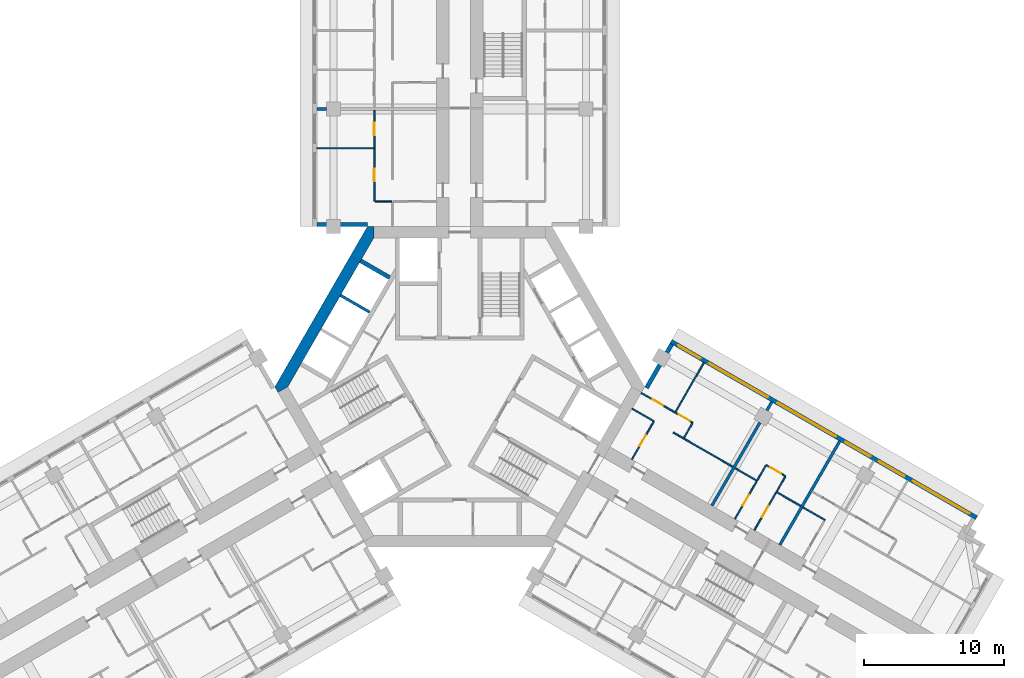
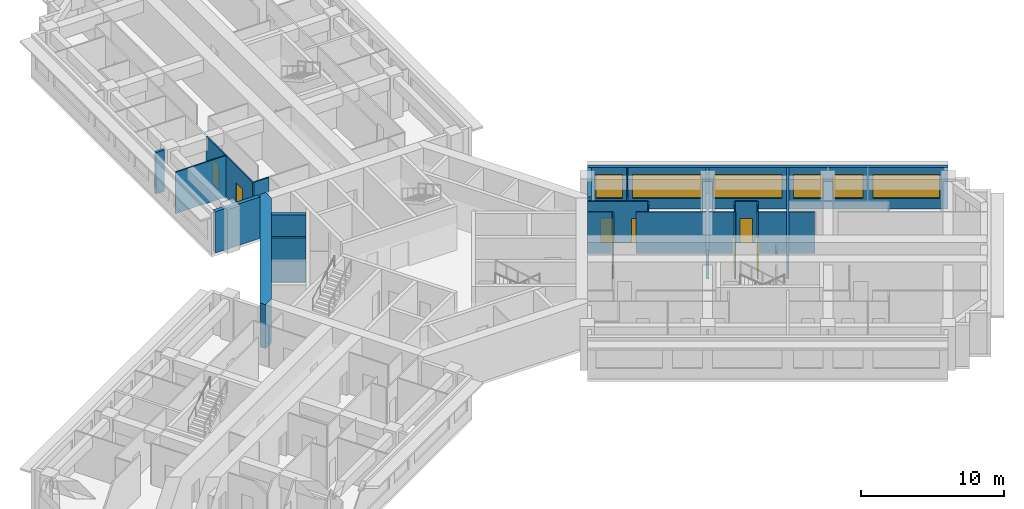
# One storey, part 7 of 12: 27 walls, 8 doors, 6 windows, 14 openings.
"""IFC4 building model written with IfcOpenShell, lengths in metres."""

from ifc_helpers import new_model, si_unit, direction, frame, frame_2d, origin, place, context, subcontext, project, spatial, polyline, rectangle, outline, extrude, material, layer, layer_set, type_object, element, fill, save


model = new_model("IFC4")

# Units and contexts
model_context = context("Model", 3, precision=1e-05, world=origin(), true_north=direction((0.0, 1.0)))
body_context = subcontext(model_context, "Body", "Model", "MODEL_VIEW")
ifc_project = project(units=[si_unit("LENGTHUNIT", "METRE"), si_unit("AREAUNIT", "SQUARE_METRE"), si_unit("VOLUMEUNIT", "CUBIC_METRE"), si_unit("PLANEANGLEUNIT", "RADIAN"), si_unit("MASSUNIT", "GRAM", prefix="KILO")], contexts=[model_context])

# Site, building, storey
site_placement = place(None, origin())
site = spatial("IfcSite", under=ifc_project, at=site_placement, CompositionType="ELEMENT")
building_placement = place(site_placement, origin())
building = spatial("IfcBuilding", under=site, at=building_placement, Name="Impinga Residences", CompositionType="ELEMENT")
storey_placement = place(building_placement, frame((0.0, 0.0, 173.5)))
storey = spatial("IfcBuildingStorey", under=building, at=storey_placement, Name="L43", CompositionType="ELEMENT", Elevation=173.5)

# Walls
ifc_material_1 = material(Name="Terracotta rainscreen on blockwork", Category="masonry")
ifc_layer_1 = layer(ifc_material_1, 0.300048828125)
ifc_layer_set_1 = layer_set([ifc_layer_1], Name="EW1 external wall, terracotta rainscreen on blockwork 300")
wall_type_1 = type_object("IfcWallType", Name="EW1 external wall, terracotta rainscreen on blockwork 300", PredefinedType="SOLIDWALL", material=ifc_layer_set_1)
wall_1_placement = place(storey_placement, frame((-6.60009765625, 11.58154296875, 0.0), z_axis=(0.0, 0.0, 1.0), x_axis=(-1.0, 0.0, 0.0)))
element("IfcWall", 1, at=wall_1_placement, inside=storey, type_object=wall_type_1, Name="External wall EW1 L43", PredefinedType="SOLIDWALL", context=body_context, shape_type="SweptSolid", body=[
    extrude(rectangle(XDim=3.599853515625, YDim=0.300048828125, at=frame_2d((1.7998046875, 0.0))), origin(), (0.0, 0.0, 1.0), 3.530029296875),
])
wall_2_placement = place(storey_placement, frame((13.329833984375, -0.074951171875, 0.0), z_axis=(0.0, 0.0, 1.0), x_axis=(0.500012057535, 0.866018442252, 0.0)))
element("IfcWall", 2, at=wall_2_placement, inside=storey, type_object=wall_type_1, Name="External wall EW1 L43", PredefinedType="SOLIDWALL", context=body_context, shape_type="SweptSolid", body=[
    extrude(rectangle(XDim=3.60009765625, YDim=0.300048828125, at=frame_2d((1.800048828125, 0.0))), origin(), (0.0, 0.0, 1.0), 3.530029296875),
])

# Wall, openings, windows
wall_3_placement = place(storey_placement, frame((15.074951171875, 3.24755859375, 0.0), z_axis=(0.0, 0.0, 1.0), x_axis=(0.86602925447, -0.499993330357, 0.0)))
wall_3 = element("IfcWall", 3, at=wall_3_placement, inside=storey, type_object=wall_type_1, Name="External wall EW1 L43", PredefinedType="SOLIDWALL", context=body_context, shape_type="SweptSolid", body=[
    extrude(rectangle(XDim=25.199951171875, YDim=0.300048828125, at=frame_2d((12.60009765625, 0.0))), origin(), (0.0, 0.0, 1.0), 3.530029296875),
])
opening_1_placement = place(wall_3_placement, frame((0.60009765625, 0.0, 0.89990234375)))
opening_1 = element("IfcOpeningElement", 4, at=opening_1_placement, cuts=wall_3, Name="Opening W15", PredefinedType="OPENING", context=body_context, shape_type="SweptSolid", body=[
    extrude(rectangle(XDim=1.85009765625, YDim=2.050048828125, at=frame_2d((0.925048828125, 1.02490234375))), frame((0.0, 0.159912109375, 0.0), z_axis=(0.0, -1.0, 0.0), x_axis=(1.0, 0.0, 0.0)), (0.0, 0.0, 1.0), 0.320068359375),
])
opening_2_placement = place(wall_3_placement, frame((3.14990234375, 0.0, 0.89990234375)))
opening_2 = element("IfcOpeningElement", 5, at=opening_2_placement, cuts=wall_3, Name="Opening W6", PredefinedType="OPENING", context=body_context, shape_type="SweptSolid", body=[
    extrude(rectangle(XDim=4.85009765625, YDim=2.050048828125, at=frame_2d((2.425048828125, 1.02490234375))), frame((0.0, 0.159912109375, 0.0), z_axis=(0.0, -1.0, 0.0), x_axis=(1.0, 0.0, 0.0)), (0.0, 0.0, 1.0), 0.320068359375),
])
opening_3_placement = place(wall_3_placement, frame((8.800048828125, 0.0, 0.89990234375)))
opening_3 = element("IfcOpeningElement", 6, at=opening_3_placement, cuts=wall_3, Name="Opening W8", PredefinedType="OPENING", context=body_context, shape_type="SweptSolid", body=[
    extrude(rectangle(XDim=4.800048828125, YDim=2.050048828125, at=frame_2d((2.39990234375, 1.02490234375))), frame((0.0, 0.159912109375, 0.0), z_axis=(0.0, -1.0, 0.0), x_axis=(1.0, 0.0, 0.0)), (0.0, 0.0, 1.0), 0.320068359375),
])
opening_4_placement = place(wall_3_placement, frame((14.39990234375, 0.0, 0.89990234375)))
opening_4 = element("IfcOpeningElement", 7, at=opening_4_placement, cuts=wall_3, Name="Opening W14", PredefinedType="OPENING", context=body_context, shape_type="SweptSolid", body=[
    extrude(rectangle(XDim=2.050048828125, YDim=2.050048828125, at=frame_2d((1.02490234375, 1.02490234375))), frame((0.0, 0.159912109375, 0.0), z_axis=(0.0, -1.0, 0.0), x_axis=(1.0, 0.0, 0.0)), (0.0, 0.0, 1.0), 0.320068359375),
])
opening_5_placement = place(wall_3_placement, frame((17.14990234375, 0.0, 0.89990234375)))
opening_5 = element("IfcOpeningElement", 8, at=opening_5_placement, cuts=wall_3, Name="Opening W9", PredefinedType="OPENING", context=body_context, shape_type="SweptSolid", body=[
    extrude(rectangle(XDim=2.10009765625, YDim=2.050048828125, at=frame_2d((1.050048828125, 1.02490234375))), frame((0.0, 0.159912109375, 0.0), z_axis=(0.0, -1.0, 0.0), x_axis=(1.0, 0.0, 0.0)), (0.0, 0.0, 1.0), 0.320068359375),
])
opening_6_placement = place(wall_3_placement, frame((19.949951171875, 0.0, 0.89990234375)))
opening_6 = element("IfcOpeningElement", 9, at=opening_6_placement, cuts=wall_3, Name="Opening W10", PredefinedType="OPENING", context=body_context, shape_type="SweptSolid", body=[
    extrude(rectangle(XDim=4.64990234375, YDim=2.050048828125, at=frame_2d((2.324951171875, 1.02490234375))), frame((0.0, 0.159912109375, 0.0), z_axis=(0.0, -1.0, 0.0), x_axis=(1.0, 0.0, 0.0)), (0.0, 0.0, 1.0), 0.320068359375),
])
ifc_material_2 = material(Name="Aluminium window, clear double glazing", Category="aluminium")
window_type_1 = type_object("IfcWindowType", Name="W10 ribbon window 4650x2050", PartitioningType="SINGLE_PANEL", PredefinedType="WINDOW", material=ifc_material_2)
window_1_placement = place(opening_6_placement, origin())
window_1 = element("IfcWindow", 10, at=window_1_placement, inside=storey, type_object=window_type_1, Name="Window L43", OverallHeight=2.050048828125, OverallWidth=4.64990234375, PartitioningType="SINGLE_PANEL", PredefinedType="WINDOW", context=body_context, shape_type="SweptSolid", body=[
    extrude(rectangle(XDim=4.64990234375, YDim=2.050048828125, at=frame_2d((2.324951171875, 1.02490234375))), frame((0.0, 0.030029296875, 0.0), z_axis=(0.0, -1.0, 0.0), x_axis=(1.0, 0.0, 0.0)), (0.0, 0.0, 1.0), 0.06005859375),
])
fill(opening_6, window_1)
window_type_2 = type_object("IfcWindowType", Name="W14 ribbon window 2050x2050", PartitioningType="SINGLE_PANEL", PredefinedType="WINDOW", material=ifc_material_2)
window_2_placement = place(opening_4_placement, origin())
window_2 = element("IfcWindow", 11, at=window_2_placement, inside=storey, type_object=window_type_2, Name="Window L43", OverallHeight=2.050048828125, OverallWidth=2.050048828125, PartitioningType="SINGLE_PANEL", PredefinedType="WINDOW", context=body_context, shape_type="SweptSolid", body=[
    extrude(rectangle(XDim=2.050048828125, YDim=2.050048828125, at=frame_2d((1.02490234375, 1.02490234375))), frame((0.0, 0.030029296875, 0.0), z_axis=(0.0, -1.0, 0.0), x_axis=(1.0, 0.0, 0.0)), (0.0, 0.0, 1.0), 0.06005859375),
])
fill(opening_4, window_2)
window_type_3 = type_object("IfcWindowType", Name="W15 ribbon window 1850x2050", PartitioningType="SINGLE_PANEL", PredefinedType="WINDOW", material=ifc_material_2)
window_3_placement = place(opening_1_placement, origin())
window_3 = element("IfcWindow", 12, at=window_3_placement, inside=storey, type_object=window_type_3, Name="Window L43", OverallHeight=2.050048828125, OverallWidth=1.85009765625, PartitioningType="SINGLE_PANEL", PredefinedType="WINDOW", context=body_context, shape_type="SweptSolid", body=[
    extrude(rectangle(XDim=1.85009765625, YDim=2.050048828125, at=frame_2d((0.925048828125, 1.02490234375))), frame((0.0, 0.030029296875, 0.0), z_axis=(0.0, -1.0, 0.0), x_axis=(1.0, 0.0, 0.0)), (0.0, 0.0, 1.0), 0.06005859375),
])
fill(opening_1, window_3)
window_type_4 = type_object("IfcWindowType", Name="W6 ribbon window 4850x2050", PartitioningType="SINGLE_PANEL", PredefinedType="WINDOW", material=ifc_material_2)
window_4_placement = place(opening_2_placement, origin())
window_4 = element("IfcWindow", 13, at=window_4_placement, inside=storey, type_object=window_type_4, Name="Window L43", OverallHeight=2.050048828125, OverallWidth=4.85009765625, PartitioningType="SINGLE_PANEL", PredefinedType="WINDOW", context=body_context, shape_type="SweptSolid", body=[
    extrude(rectangle(XDim=4.85009765625, YDim=2.050048828125, at=frame_2d((2.425048828125, 1.02490234375))), frame((0.0, 0.030029296875, 0.0), z_axis=(0.0, -1.0, 0.0), x_axis=(1.0, 0.0, 0.0)), (0.0, 0.0, 1.0), 0.06005859375),
])
fill(opening_2, window_4)
window_type_5 = type_object("IfcWindowType", Name="W8 ribbon window 4800x2050", PartitioningType="SINGLE_PANEL", PredefinedType="WINDOW", material=ifc_material_2)
window_5_placement = place(opening_3_placement, origin())
window_5 = element("IfcWindow", 14, at=window_5_placement, inside=storey, type_object=window_type_5, Name="Window L43", OverallHeight=2.050048828125, OverallWidth=4.800048828125, PartitioningType="SINGLE_PANEL", PredefinedType="WINDOW", context=body_context, shape_type="SweptSolid", body=[
    extrude(rectangle(XDim=4.800048828125, YDim=2.050048828125, at=frame_2d((2.39990234375, 1.02490234375))), frame((0.0, 0.030029296875, 0.0), z_axis=(0.0, -1.0, 0.0), x_axis=(1.0, 0.0, 0.0)), (0.0, 0.0, 1.0), 0.06005859375),
])
fill(opening_3, window_5)
window_type_6 = type_object("IfcWindowType", Name="W9 ribbon window 2100x2050", PartitioningType="SINGLE_PANEL", PredefinedType="WINDOW", material=ifc_material_2)
window_6_placement = place(opening_5_placement, origin())
window_6 = element("IfcWindow", 15, at=window_6_placement, inside=storey, type_object=window_type_6, Name="Window L43", OverallHeight=2.050048828125, OverallWidth=2.10009765625, PartitioningType="SINGLE_PANEL", PredefinedType="WINDOW", context=body_context, shape_type="SweptSolid", body=[
    extrude(rectangle(XDim=2.10009765625, YDim=2.050048828125, at=frame_2d((1.050048828125, 1.02490234375))), frame((0.0, 0.030029296875, 0.0), z_axis=(0.0, -1.0, 0.0), x_axis=(1.0, 0.0, 0.0)), (0.0, 0.0, 1.0), 0.06005859375),
])
fill(opening_5, window_6)

# Wall, openings, doors
ifc_material_3 = material(Name="Gypsum board on steel studs", Category="steel")
ifc_layer_2 = layer(ifc_material_3, 0.10009765625)
ifc_layer_set_2 = layer_set([ifc_layer_2], Name="Gypsum board on steel studs")
wall_type_2 = type_object("IfcWallType", Name="IP1 partition 100", PredefinedType="PARTITIONING", material=ifc_layer_set_2)
wall_4_placement = place(storey_placement, frame((-6.10009765625, 13.2314453125, 0.0), z_axis=(0.0, 0.0, 1.0), x_axis=(0.0, 1.0, 0.0)))
wall_4 = element("IfcWall", 16, at=wall_4_placement, inside=storey, type_object=wall_type_2, Name="Partition L43-NA1:STRIP", PredefinedType="PARTITIONING", context=body_context, shape_type="SweptSolid", body=[
    extrude(rectangle(XDim=6.5, YDim=0.10009765625, at=frame_2d((3.25, 0.0))), origin(), (0.0, 0.0, 1.0), 3.530029296875),
])
opening_7_placement = place(wall_4_placement, frame((1.425048828125, 0.0, 0.0)))
opening_7 = element("IfcOpeningElement", 17, at=opening_7_placement, cuts=wall_4, Name="Opening D2", PredefinedType="OPENING", context=body_context, shape_type="SweptSolid", body=[
    extrude(rectangle(XDim=0.89990234375, YDim=2.10009765625, at=frame_2d((0.449951171875, 1.050048828125))), frame((0.0, 0.06005859375, 0.0), z_axis=(0.0, -1.0, 0.0), x_axis=(1.0, 0.0, 0.0)), (0.0, 0.0, 1.0), 0.1201171875),
])
opening_8_placement = place(wall_4_placement, frame((4.72509765625, 0.0, 0.0)))
opening_8 = element("IfcOpeningElement", 18, at=opening_8_placement, cuts=wall_4, Name="Opening D2", PredefinedType="OPENING", context=body_context, shape_type="SweptSolid", body=[
    extrude(rectangle(XDim=0.89990234375, YDim=2.10009765625, at=frame_2d((0.449951171875, 1.050048828125))), frame((0.0, 0.06005859375, 0.0), z_axis=(0.0, -1.0, 0.0), x_axis=(1.0, 0.0, 0.0)), (0.0, 0.0, 1.0), 0.1201171875),
])
ifc_material_4 = material(Name="Timber door set", Category="wood")
door_type = type_object("IfcDoorType", Name="D2 internal door 900x2100", OperationType="SINGLE_SWING_LEFT", PredefinedType="DOOR", material=ifc_material_4)
door_1_placement = place(opening_7_placement, origin())
door_1 = element("IfcDoor", 19, at=door_1_placement, inside=storey, type_object=door_type, Name="Apartment L43-NA1 room door", OperationType="SINGLE_SWING_LEFT", OverallHeight=2.10009765625, OverallWidth=0.89990234375, PredefinedType="DOOR", context=body_context, shape_type="SweptSolid", body=[
    extrude(rectangle(XDim=0.89990234375, YDim=2.10009765625, at=frame_2d((0.449951171875, 1.050048828125))), frame((0.0, 0.02490234375, 0.0), z_axis=(0.0, -1.0, 0.0), x_axis=(1.0, 0.0, 0.0)), (0.0, 0.0, 1.0), 0.050048828125),
])
fill(opening_7, door_1)
door_2_placement = place(opening_8_placement, origin())
door_2 = element("IfcDoor", 20, at=door_2_placement, inside=storey, type_object=door_type, Name="Apartment L43-NA1 room door", OperationType="SINGLE_SWING_RIGHT", OverallHeight=2.10009765625, OverallWidth=0.89990234375, PredefinedType="DOOR", context=body_context, shape_type="SweptSolid", body=[
    extrude(rectangle(XDim=0.89990234375, YDim=2.10009765625, at=frame_2d((0.449951171875, 1.050048828125))), frame((0.0, 0.02490234375, 0.0), z_axis=(0.0, -1.0, 0.0), x_axis=(1.0, 0.0, 0.0)), (0.0, 0.0, 1.0), 0.050048828125),
])
fill(opening_8, door_2)

# Walls
wall_5_placement = place(storey_placement, frame((-4.85009765625, 13.2314453125, 0.0), z_axis=(0.0, 0.0, 1.0), x_axis=(-1.0, 0.0, 0.0)))
element("IfcWall", 21, at=wall_5_placement, inside=storey, type_object=wall_type_2, Name="Partition L43-NA1:SE0", PredefinedType="PARTITIONING", context=body_context, shape_type="SweptSolid", body=[
    extrude(rectangle(XDim=1.199951171875, YDim=0.10009765625, at=frame_2d((0.60009765625, 0.0))), origin(), (0.0, 0.0, 1.0), 3.530029296875),
])
wall_6_placement = place(storey_placement, frame((-6.14990234375, 17.031494140625, 0.0), z_axis=(0.0, 0.0, 1.0), x_axis=(-1.0, 0.0, 0.0)))
element("IfcWall", 22, at=wall_6_placement, inside=storey, type_object=wall_type_2, Name="Partition L43-NA1:OB1", PredefinedType="PARTITIONING", context=body_context, shape_type="SweptSolid", body=[
    extrude(rectangle(XDim=4.050048828125, YDim=0.10009765625, at=frame_2d((2.02490234375, 0.0))), origin(), (0.0, 0.0, 1.0), 3.530029296875),
])
wall_7_placement = place(storey_placement, frame((12.300048828125, -1.558837890625, 0.0), z_axis=(0.0, 0.0, 1.0), x_axis=(0.866047807691, -0.499961193289, 0.0)))
element("IfcWall", 23, at=wall_7_placement, inside=storey, type_object=wall_type_2, Name="Partition L43-EA1:DIV0", PredefinedType="PARTITIONING", context=body_context, shape_type="SweptSolid", body=[
    extrude(rectangle(XDim=1.800048828125, YDim=0.10009765625, at=frame_2d((0.89990234375, 0.0))), origin(), (0.0, 0.0, 1.0), 3.530029296875),
])
wall_8_placement = place(storey_placement, frame((15.244384765625, -3.2587890625, 0.0), z_axis=(0.0, 0.0, 1.0), x_axis=(0.866036242063, -0.49998122708, 0.0)))
element("IfcWall", 24, at=wall_8_placement, inside=storey, type_object=wall_type_2, Name="Partition L43-EA1:DIV1", PredefinedType="PARTITIONING", context=body_context, shape_type="SweptSolid", body=[
    extrude(rectangle(XDim=4.900146484375, YDim=0.10009765625, at=frame_2d((2.4501953125, 0.0))), origin(), (0.0, 0.0, 1.0), 3.530029296875),
])

# Wall, openings, doors
wall_9_placement = place(storey_placement, frame((12.949951171875, -0.43310546875, 0.0), z_axis=(0.0, 0.0, 1.0), x_axis=(0.866028703517, -0.499994284652, 0.0)))
wall_9 = element("IfcWall", 25, at=wall_9_placement, inside=storey, type_object=wall_type_2, Name="Partition L43-EA1:STRIP", PredefinedType="PARTITIONING", context=body_context, shape_type="SweptSolid", body=[
    extrude(rectangle(XDim=4.25, YDim=0.10009765625, at=frame_2d((2.125, 0.0))), origin(), (0.0, 0.0, 1.0), 3.530029296875),
])
opening_9_placement = place(wall_9_placement, frame((0.925048828125, 0.0, 0.0)))
opening_9 = element("IfcOpeningElement", 26, at=opening_9_placement, cuts=wall_9, Name="Opening D2", PredefinedType="OPENING", context=body_context, shape_type="SweptSolid", body=[
    extrude(rectangle(XDim=0.89990234375, YDim=2.10009765625, at=frame_2d((0.449951171875, 1.050048828125))), frame((0.0, 0.06005859375, 0.0), z_axis=(0.0, -1.0, 0.0), x_axis=(1.0, 0.0, 0.0)), (0.0, 0.0, 1.0), 0.1201171875),
])
opening_10_placement = place(wall_9_placement, frame((3.10009765625, 0.0, 0.0)))
opening_10 = element("IfcOpeningElement", 27, at=opening_10_placement, cuts=wall_9, Name="Opening D2", PredefinedType="OPENING", context=body_context, shape_type="SweptSolid", body=[
    extrude(rectangle(XDim=0.89990234375, YDim=2.10009765625, at=frame_2d((0.449951171875, 1.050048828125))), frame((0.0, 0.06005859375, 0.0), z_axis=(0.0, -1.0, 0.0), x_axis=(1.0, 0.0, 0.0)), (0.0, 0.0, 1.0), 0.1201171875),
])
door_3_placement = place(opening_9_placement, origin())
door_3 = element("IfcDoor", 28, at=door_3_placement, inside=storey, type_object=door_type, Name="Apartment L43-EA1 room door", OperationType="SINGLE_SWING_LEFT", OverallHeight=2.10009765625, OverallWidth=0.89990234375, PredefinedType="DOOR", context=body_context, shape_type="SweptSolid", body=[
    extrude(rectangle(XDim=0.89990234375, YDim=2.10009765625, at=frame_2d((0.449951171875, 1.050048828125))), frame((0.0, 0.02490234375, 0.0), z_axis=(0.0, -1.0, 0.0), x_axis=(1.0, 0.0, 0.0)), (0.0, 0.0, 1.0), 0.050048828125),
])
fill(opening_9, door_3)
door_4_placement = place(opening_10_placement, origin())
door_4 = element("IfcDoor", 29, at=door_4_placement, inside=storey, type_object=door_type, Name="Apartment L43-EA1 room door", OperationType="SINGLE_SWING_RIGHT", OverallHeight=2.10009765625, OverallWidth=0.89990234375, PredefinedType="DOOR", context=body_context, shape_type="SweptSolid", body=[
    extrude(rectangle(XDim=0.89990234375, YDim=2.10009765625, at=frame_2d((0.449951171875, 1.050048828125))), frame((0.0, 0.02490234375, 0.0), z_axis=(0.0, -1.0, 0.0), x_axis=(1.0, 0.0, 0.0)), (0.0, 0.0, 1.0), 0.050048828125),
])
fill(opening_10, door_4)

# Wall
wall_10_placement = place(storey_placement, frame((16.005615234375, -3.640625, 0.0), z_axis=(0.0, 0.0, 1.0), x_axis=(0.500033551112, 0.866006032174, 0.0)))
element("IfcWall", 30, at=wall_10_placement, inside=storey, type_object=wall_type_2, Name="Partition L43-EA1:SE1", PredefinedType="PARTITIONING", context=body_context, shape_type="SweptSolid", body=[
    extrude(rectangle(XDim=1.2001953125, YDim=0.10009765625, at=frame_2d((0.60009765625, 0.0))), origin(), (0.0, 0.0, 1.0), 3.530029296875),
])

# Wall, opening, door
wall_11_placement = place(storey_placement, frame((12.283935546875, -5.186767578125, 0.0), z_axis=(0.0, 0.0, 1.0), x_axis=(0.499967891604, 0.866043940782, 0.0)))
wall_11 = element("IfcWall", 31, at=wall_11_placement, inside=storey, type_object=wall_type_2, Name="Partition L43-EA1:IB1", PredefinedType="PARTITIONING", context=body_context, shape_type="SweptSolid", body=[
    extrude(rectangle(XDim=3.099853515625, YDim=0.10009765625, at=frame_2d((1.5498046875, 0.0))), origin(), (0.0, 0.0, 1.0), 3.530029296875),
])
opening_11_placement = place(wall_11_placement, frame((1.10009765625, 0.0, 0.0)))
opening_11 = element("IfcOpeningElement", 32, at=opening_11_placement, cuts=wall_11, Name="Opening D2", PredefinedType="OPENING", context=body_context, shape_type="SweptSolid", body=[
    extrude(rectangle(XDim=0.89990234375, YDim=2.10009765625, at=frame_2d((0.449951171875, 1.050048828125))), frame((0.0, 0.06005859375, 0.0), z_axis=(0.0, -1.0, 0.0), x_axis=(1.0, 0.0, 0.0)), (0.0, 0.0, 1.0), 0.1201171875),
])
door_5_placement = place(opening_11_placement, origin())
door_5 = element("IfcDoor", 33, at=door_5_placement, inside=storey, type_object=door_type, Name="Apartment L43-EA1 bathroom door", OperationType="SINGLE_SWING_LEFT", OverallHeight=2.10009765625, OverallWidth=0.89990234375, PredefinedType="DOOR", context=body_context, shape_type="SweptSolid", body=[
    extrude(rectangle(XDim=0.89990234375, YDim=2.10009765625, at=frame_2d((0.449951171875, 1.050048828125))), frame((0.0, 0.02490234375, 0.0), z_axis=(0.0, -1.0, 0.0), x_axis=(1.0, 0.0, 0.0)), (0.0, 0.0, 1.0), 0.050048828125),
])
fill(opening_11, door_5)

# Walls
wall_12_placement = place(storey_placement, frame((15.39990234375, -1.789794921875, 0.0), z_axis=(0.0, 0.0, 1.0), x_axis=(0.499964223975, 0.866046058097, 0.0)))
element("IfcWall", 34, at=wall_12_placement, inside=storey, type_object=wall_type_2, Name="Partition L43-EA1:OB1", PredefinedType="PARTITIONING", context=body_context, shape_type="SweptSolid", body=[
    extrude(rectangle(XDim=4.050048828125, YDim=0.10009765625, at=frame_2d((2.02490234375, 0.0))), origin(), (0.0, 0.0, 1.0), 3.530029296875),
])
wall_13_placement = place(storey_placement, frame((19.6611328125, -5.808837890625, 0.0), z_axis=(0.0, 0.0, 1.0), x_axis=(0.866047807691, -0.499961193289, 0.0)))
element("IfcWall", 35, at=wall_13_placement, inside=storey, type_object=wall_type_2, Name="Partition L43-EA2:DIV0", PredefinedType="PARTITIONING", context=body_context, shape_type="SweptSolid", body=[
    extrude(rectangle(XDim=1.800048828125, YDim=0.10009765625, at=frame_2d((0.89990234375, 0.0))), origin(), (0.0, 0.0, 1.0), 3.530029296875),
])
wall_14_placement = place(storey_placement, frame((22.605712890625, -7.5087890625, 0.0), z_axis=(0.0, 0.0, 1.0), x_axis=(0.866010750942, -0.50002537861, 0.0)))
element("IfcWall", 36, at=wall_14_placement, inside=storey, type_object=wall_type_2, Name="Partition L43-EA2:DIV1", PredefinedType="PARTITIONING", context=body_context, shape_type="SweptSolid", body=[
    extrude(rectangle(XDim=2.0, YDim=0.10009765625, at=frame_2d((1.0, 0.0))), origin(), (0.0, 0.0, 1.0), 3.530029296875),
])

# Wall, opening, door
wall_15_placement = place(storey_placement, frame((21.8701171875, -5.5830078125, 0.0), z_axis=(0.0, 0.0, 1.0), x_axis=(0.865989903783, -0.500061482766, 0.0)))
wall_15 = element("IfcWall", 37, at=wall_15_placement, inside=storey, type_object=wall_type_2, Name="Partition L43-EA2:STRIP", PredefinedType="PARTITIONING", context=body_context, shape_type="SweptSolid", body=[
    extrude(rectangle(XDim=1.599853515625, YDim=0.10009765625, at=frame_2d((0.7998046875, 0.0))), origin(), (0.0, 0.0, 1.0), 3.530029296875),
])
opening_12_placement = place(wall_15_placement, frame((0.35009765625, 0.0, 0.0)))
opening_12 = element("IfcOpeningElement", 38, at=opening_12_placement, cuts=wall_15, Name="Opening D2", PredefinedType="OPENING", context=body_context, shape_type="SweptSolid", body=[
    extrude(rectangle(XDim=0.89990234375, YDim=2.10009765625, at=frame_2d((0.449951171875, 1.050048828125))), frame((0.0, 0.06005859375, 0.0), z_axis=(0.0, -1.0, 0.0), x_axis=(1.0, 0.0, 0.0)), (0.0, 0.0, 1.0), 0.1201171875),
])
door_6_placement = place(opening_12_placement, origin())
door_6 = element("IfcDoor", 39, at=door_6_placement, inside=storey, type_object=door_type, Name="Apartment L43-EA2 room door", OperationType="SINGLE_SWING_LEFT", OverallHeight=2.10009765625, OverallWidth=0.89990234375, PredefinedType="DOOR", context=body_context, shape_type="SweptSolid", body=[
    extrude(rectangle(XDim=0.89990234375, YDim=2.10009765625, at=frame_2d((0.449951171875, 1.050048828125))), frame((0.0, 0.02490234375, 0.0), z_axis=(0.0, -1.0, 0.0), x_axis=(1.0, 0.0, 0.0)), (0.0, 0.0, 1.0), 0.050048828125),
])
fill(opening_12, door_6)

# Walls
wall_16_placement = place(storey_placement, frame((21.2451171875, -6.66552734375, 0.0), z_axis=(0.0, 0.0, 1.0), x_axis=(0.499880961361, 0.866094119867, 0.0)))
element("IfcWall", 40, at=wall_16_placement, inside=storey, type_object=wall_type_2, Name="Partition L43-EA2:SE0", PredefinedType="PARTITIONING", context=body_context, shape_type="SweptSolid", body=[
    extrude(rectangle(XDim=1.199951171875, YDim=0.10009765625, at=frame_2d((0.60009765625, 0.0))), origin(), (0.0, 0.0, 1.0), 3.530029296875),
])
wall_17_placement = place(storey_placement, frame((22.630615234375, -7.465576171875, 0.0), z_axis=(0.0, 0.0, 1.0), x_axis=(0.500033551112, 0.866006032174, 0.0)))
element("IfcWall", 41, at=wall_17_placement, inside=storey, type_object=wall_type_2, Name="Partition L43-EA2:SE1", PredefinedType="PARTITIONING", context=body_context, shape_type="SweptSolid", body=[
    extrude(rectangle(XDim=1.2001953125, YDim=0.10009765625, at=frame_2d((0.60009765625, 0.0))), origin(), (0.0, 0.0, 1.0), 3.530029296875),
])

# Wall, opening, door
wall_18_placement = place(storey_placement, frame((19.64501953125, -9.436767578125, 0.0), z_axis=(0.0, 0.0, 1.0), x_axis=(0.500026960575, 0.86600983753, 0.0)))
wall_18 = element("IfcWall", 42, at=wall_18_placement, inside=storey, type_object=wall_type_2, Name="Partition L43-EA2:IB1", PredefinedType="PARTITIONING", context=body_context, shape_type="SweptSolid", body=[
    extrude(rectangle(XDim=3.099853515625, YDim=0.10009765625, at=frame_2d((1.5498046875, 0.0))), origin(), (0.0, 0.0, 1.0), 3.530029296875),
])
opening_13_placement = place(wall_18_placement, frame((1.10009765625, 0.0, 0.0)))
opening_13 = element("IfcOpeningElement", 43, at=opening_13_placement, cuts=wall_18, Name="Opening D2", PredefinedType="OPENING", context=body_context, shape_type="SweptSolid", body=[
    extrude(rectangle(XDim=0.89990234375, YDim=2.10009765625, at=frame_2d((0.449951171875, 1.050048828125))), frame((0.0, 0.06005859375, 0.0), z_axis=(0.0, -1.0, 0.0), x_axis=(1.0, 0.0, 0.0)), (0.0, 0.0, 1.0), 0.1201171875),
])
door_7_placement = place(opening_13_placement, origin())
door_7 = element("IfcDoor", 44, at=door_7_placement, inside=storey, type_object=door_type, Name="Apartment L43-EA2 bathroom door", OperationType="SINGLE_SWING_LEFT", OverallHeight=2.10009765625, OverallWidth=0.89990234375, PredefinedType="DOOR", context=body_context, shape_type="SweptSolid", body=[
    extrude(rectangle(XDim=0.89990234375, YDim=2.10009765625, at=frame_2d((0.449951171875, 1.050048828125))), frame((0.0, 0.02490234375, 0.0), z_axis=(0.0, -1.0, 0.0), x_axis=(1.0, 0.0, 0.0)), (0.0, 0.0, 1.0), 0.050048828125),
])
fill(opening_13, door_7)

wall_19_placement = place(storey_placement, frame((21.03076171875, -10.23681640625, 0.0), z_axis=(0.0, 0.0, 1.0), x_axis=(0.500026960575, 0.86600983753, 0.0)))
wall_19 = element("IfcWall", 45, at=wall_19_placement, inside=storey, type_object=wall_type_2, Name="Partition L43-EA2:IB2", PredefinedType="PARTITIONING", context=body_context, shape_type="SweptSolid", body=[
    extrude(rectangle(XDim=3.099853515625, YDim=0.10009765625, at=frame_2d((1.5498046875, 0.0))), origin(), (0.0, 0.0, 1.0), 3.530029296875),
])
opening_14_placement = place(wall_19_placement, frame((1.10009765625, 0.0, 0.0)))
opening_14 = element("IfcOpeningElement", 46, at=opening_14_placement, cuts=wall_19, Name="Opening D2", PredefinedType="OPENING", context=body_context, shape_type="SweptSolid", body=[
    extrude(rectangle(XDim=0.89990234375, YDim=2.10009765625, at=frame_2d((0.449951171875, 1.050048828125))), frame((0.0, 0.06005859375, 0.0), z_axis=(0.0, -1.0, 0.0), x_axis=(1.0, 0.0, 0.0)), (0.0, 0.0, 1.0), 0.1201171875),
])
door_8_placement = place(opening_14_placement, origin())
door_8 = element("IfcDoor", 47, at=door_8_placement, inside=storey, type_object=door_type, Name="Apartment L43-EA2 WC door", OperationType="SINGLE_SWING_LEFT", OverallHeight=2.10009765625, OverallWidth=0.89990234375, PredefinedType="DOOR", context=body_context, shape_type="SweptSolid", body=[
    extrude(rectangle(XDim=0.89990234375, YDim=2.10009765625, at=frame_2d((0.449951171875, 1.050048828125))), frame((0.0, 0.02490234375, 0.0), z_axis=(0.0, -1.0, 0.0), x_axis=(1.0, 0.0, 0.0)), (0.0, 0.0, 1.0), 0.050048828125),
])
fill(opening_14, door_8)

# Walls
wall_20_placement = place(storey_placement, frame((24.510986328125, -8.60888671875, 0.0), z_axis=(0.0, 0.0, 1.0), x_axis=(0.866047807691, -0.499961193289, 0.0)))
element("IfcWall", 48, at=wall_20_placement, inside=storey, type_object=wall_type_2, Name="Partition L43-EA3:DIV0", PredefinedType="PARTITIONING", context=body_context, shape_type="SweptSolid", body=[
    extrude(rectangle(XDim=1.800048828125, YDim=0.10009765625, at=frame_2d((0.89990234375, 0.0))), origin(), (0.0, 0.0, 1.0), 3.530029296875),
])
ifc_material_5 = material(Name="Concrete blockwork", Category="masonry")
ifc_layer_3 = layer(ifc_material_5, 0.199951171875)
ifc_layer_set_3 = layer_set([ifc_layer_3], Name="PW1 party wall between apartments 200")
wall_type_3 = type_object("IfcWallType", Name="PW1 party wall between apartments 200", PredefinedType="SOLIDWALL", material=ifc_layer_set_3)
wall_21_placement = place(storey_placement, frame((-9.5, 19.83154296875, 0.0), z_axis=(0.0, 0.0, 1.0), x_axis=(-1.0, 0.0, 0.0)))
element("IfcWall", 49, at=wall_21_placement, inside=storey, type_object=wall_type_3, Name="Party wall between apartments L43-NA1:PARTYb", PredefinedType="SOLIDWALL", context=body_context, shape_type="SweptSolid", body=[
    extrude(rectangle(XDim=0.699951171875, YDim=0.199951171875, at=frame_2d((0.35009765625, 0.0))), origin(), (0.0, 0.0, 1.0), 3.530029296875),
])
wall_22_placement = place(storey_placement, frame((17.99951171875, -8.48681640625, 0.0), z_axis=(0.0, 0.0, 1.0), x_axis=(0.499999086063, 0.866025931445, 0.0)))
element("IfcWall", 50, at=wall_22_placement, inside=storey, type_object=wall_type_3, Name="Party wall between apartments L43-EA1:PARTY", PredefinedType="SOLIDWALL", context=body_context, shape_type="SweptSolid", body=[
    extrude(rectangle(XDim=6.85009765625, YDim=0.199951171875, at=frame_2d((3.425048828125, 0.0))), origin(), (0.0, 0.0, 1.0), 2.47998046875),
])
wall_23_placement = place(storey_placement, frame((21.924560546875, -1.6884765625, 0.0), z_axis=(0.0, 0.0, 1.0), x_axis=(0.500114896893, 0.865959057869, 0.0)))
element("IfcWall", 51, at=wall_23_placement, inside=storey, type_object=wall_type_3, Name="Party wall between apartments L43-EA1:PARTYb", PredefinedType="SOLIDWALL", context=body_context, shape_type="SweptSolid", body=[
    extrude(rectangle(XDim=0.699951171875, YDim=0.199951171875, at=frame_2d((0.35009765625, 0.0))), origin(), (0.0, 0.0, 1.0), 3.530029296875),
])
wall_24_placement = place(storey_placement, frame((22.849365234375, -11.286865234375, 0.0), z_axis=(0.0, 0.0, 1.0), x_axis=(0.499990227581, 0.86603104582, 0.0)))
element("IfcWall", 52, at=wall_24_placement, inside=storey, type_object=wall_type_3, Name="Party wall between apartments L43-EA2:PARTY", PredefinedType="SOLIDWALL", context=body_context, shape_type="SweptSolid", body=[
    extrude(rectangle(XDim=8.550048828125, YDim=0.199951171875, at=frame_2d((4.27490234375, 0.0))), origin(), (0.0, 0.0, 1.0), 3.530029296875),
])
ifc_material_6 = material(Name="Concrete C60/75", Category="concrete")
ifc_layer_4 = layer(ifc_material_6, 0.800048828125)
ifc_layer_set_4 = layer_set([ifc_layer_4], Name="Concrete C60/75")
wall_type_4 = type_object("IfcWallType", Name="SW2 core wall 800", PredefinedType="SHEAR", material=ifc_layer_set_4)
wall_25_placement = place(storey_placement, origin())
element("IfcWall", 53, at=wall_25_placement, inside=storey, type_object=wall_type_4, Name="Core wall SW2 E:EXPOSED L43", PredefinedType="SHEAR", context=body_context, shape_type="SweptSolid", body=[
    extrude(outline(polyline([(-6.60009765625, 11.431640625), (-13.199951171875, 0.0), (-12.968994140625, -0.39990234375), (-12.276123046875, 0.0), (-6.13818359375, 10.631591796875), (-6.13818359375, 11.431640625), (-6.60009765625, 11.431640625)])), origin(), (0.0, 0.0, 1.0), 3.75),
])
ifc_material_7 = material(Name="Concrete C70/85", Category="concrete")
ifc_layer_5 = layer(ifc_material_7, 0.300048828125)
ifc_layer_set_5 = layer_set([ifc_layer_5], Name="Concrete C70/85")
wall_type_5 = type_object("IfcWallType", Name="SW5 core inner wall, stairs, shafts and lobbies 300", PredefinedType="SHEAR", material=ifc_layer_set_5)
wall_26_placement = place(storey_placement, frame((-5.003662109375, 7.79638671875, 0.0), z_axis=(0.0, 0.0, 1.0), x_axis=(-0.866050077142, 0.499957262057, 0.0)))
element("IfcWall", 54, at=wall_26_placement, inside=storey, type_object=wall_type_5, Name="Core wall SW5 E:BANK-R L43", PredefinedType="SHEAR", context=body_context, shape_type="SweptSolid", body=[
    extrude(rectangle(XDim=2.400146484375, YDim=0.300048828125, at=frame_2d((1.2001953125, 0.0))), origin(), (0.0, 0.0, 1.0), 3.75),
])
ifc_layer_6 = layer(ifc_material_7, 0.199951171875)
ifc_layer_set_6 = layer_set([ifc_layer_6], Name="Concrete C70/85")
wall_type_6 = type_object("IfcWallType", Name="SW6 lift shaft divider wall 200", PredefinedType="SHEAR", material=ifc_layer_set_6)
wall_27_placement = place(storey_placement, frame((-6.4287109375, 5.328125, 0.0), z_axis=(0.0, 0.0, 1.0), x_axis=(-0.865980596518, 0.500077600433, 0.0)))
element("IfcWall", 55, at=wall_27_placement, inside=storey, type_object=wall_type_6, Name="Core wall SW6 E:BANK-D2 L43", PredefinedType="SHEAR", context=body_context, shape_type="SweptSolid", body=[
    extrude(rectangle(XDim=2.39990234375, YDim=0.199951171875, at=frame_2d((1.199951171875, 0.0))), origin(), (0.0, 0.0, 1.0), 3.75),
])

save(model, "model.ifc")
